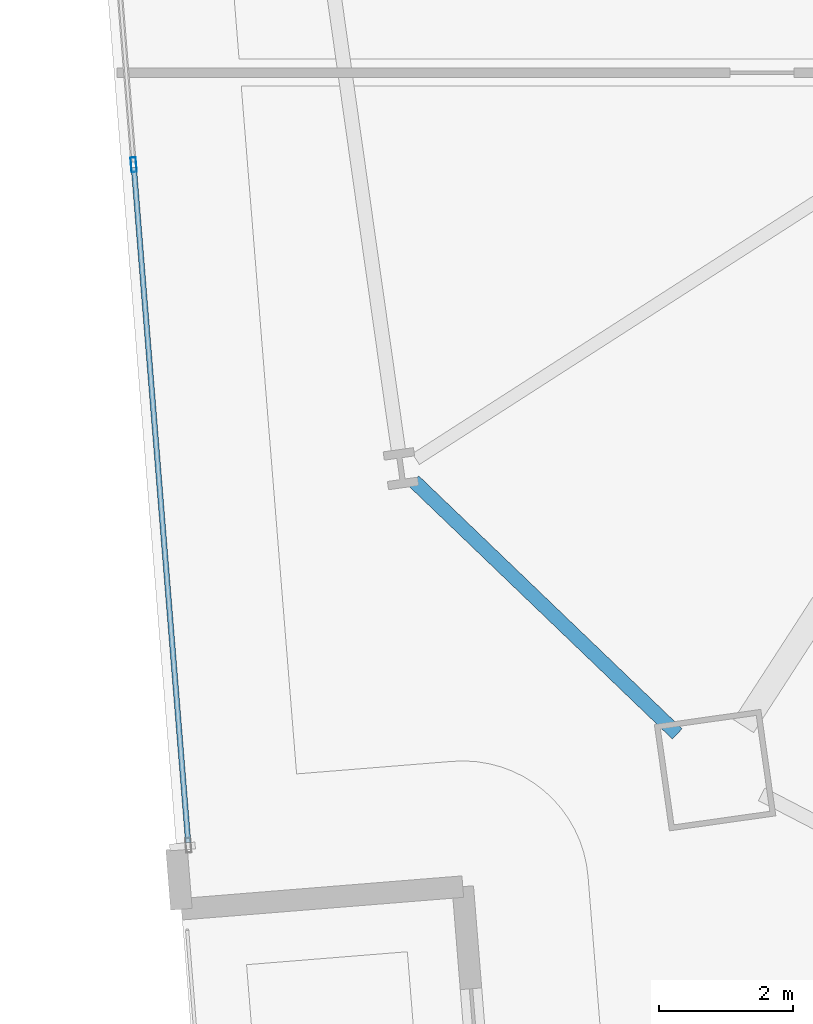
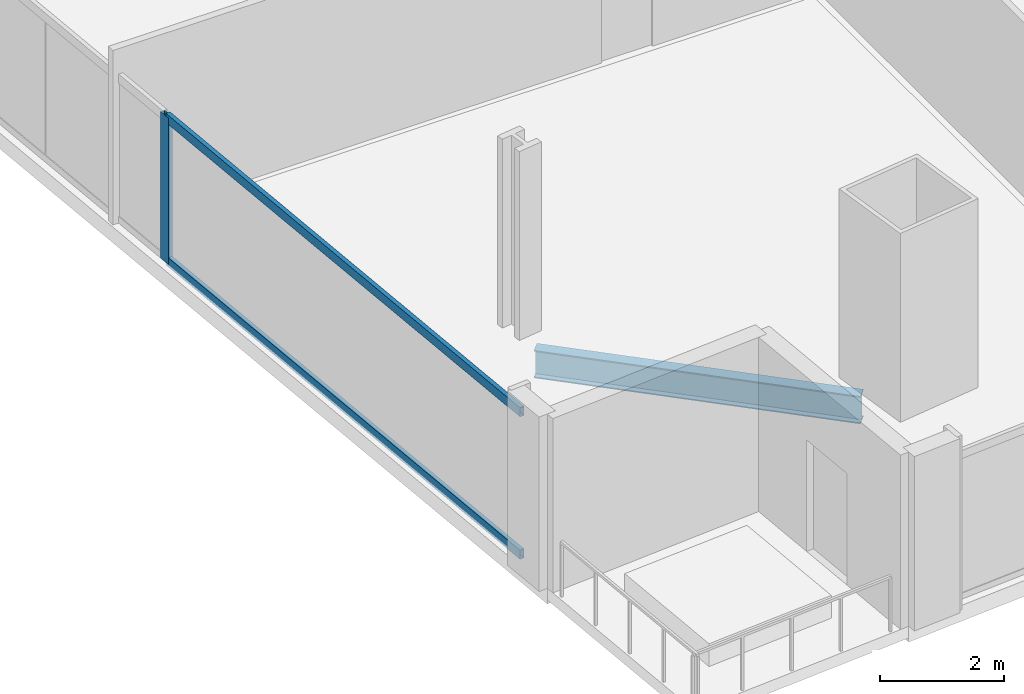
# One storey, part 3 of 33: 3 members, 1 beam, 1 element without a shape of its own.
"""IFC4 building model written with IfcOpenShell, lengths in metres."""

from ifc_helpers import new_model, si_unit, direction, frame, origin, origin_2d, place, context, subcontext, project, spatial, hollow_rectangle, i_section, extrude, material, material_profile, profile_set, type_object, element, aggregate, save


model = new_model("IFC4")

# Units and contexts
model_context = context("Model", 3, precision=1e-05, world=origin(), true_north=direction((0.0, 1.0)))
body_context = subcontext(model_context, "Body", "Model", "MODEL_VIEW")
ifc_project = project(units=[si_unit("LENGTHUNIT", "METRE"), si_unit("AREAUNIT", "SQUARE_METRE"), si_unit("VOLUMEUNIT", "CUBIC_METRE"), si_unit("PLANEANGLEUNIT", "RADIAN"), si_unit("MASSUNIT", "GRAM", prefix="KILO")], contexts=[model_context])

# Site, building, storey
site_placement = place(None, origin())
site = spatial("IfcSite", under=ifc_project, at=site_placement, CompositionType="ELEMENT")
building_placement = place(site_placement, origin())
building = spatial("IfcBuilding", under=site, at=building_placement, Name="Haldenkirk Collegiate Tower", CompositionType="ELEMENT")
storey_placement = place(building_placement, frame((0.0, 0.0, 43.949951171875)))
storey = spatial("IfcBuildingStorey", under=building, at=storey_placement, Name="L09", CompositionType="ELEMENT", Elevation=43.949951171875)

# Beam
ifc_material_1 = material(Name="Steel ASTM A992 Grade 50", Category="steel")
ifc_material_profile_1 = material_profile(ifc_material_1, i_section(OverallWidth=0.2119140625, OverallDepth=0.5439453125, WebThickness=0.01318359375, FlangeThickness=0.021240234375, at=origin_2d()), Name="W21X83")
ifc_profile_set_1 = profile_set([ifc_material_profile_1], Name="Steel ASTM A992 Grade 50")
beam_type = type_object("IfcBeamType", Name="BM-SPANDREL-W21X83", PredefinedType="SPANDREL", material=ifc_profile_set_1)
beam_placement = place(storey_placement, frame((14.212890625, 9.47412109375, -0.58203125), z_axis=(0.721492362326, -0.692422393561, 0.0), x_axis=(0.692422393561, 0.721492362326, 0.0)))
element("IfcBeam", 1, at=beam_placement, inside=storey, type_object=beam_type, Name="L09 perimeter spandrel beam 16", PredefinedType="SPANDREL", context=body_context, shape_type="SweptSolid", body=[
    extrude(i_section(OverallWidth=0.2119140625, OverallDepth=0.5439453125, WebThickness=0.01318359375, FlangeThickness=0.021240234375, at=origin_2d()), origin(), (0.0, 0.0, 1.0), 5.433837890625),
])

# Curtain wall, members
ifc_material_2 = material(Name="Anodised architectural bronze aluminium", Category="aluminium")
curtain_wall_type = type_object("IfcCurtainWallType", Name="CW-SYS1-CONVEX-LOW", PredefinedType="USERDEFINED", material=ifc_material_2)
curtain_wall_placement = place(storey_placement, origin())
curtain_wall = element("IfcCurtainWall", 2, at=curtain_wall_placement, inside=storey, type_object=curtain_wall_type, Name="L09 Lower tower convex bronze-framed unitised curtain wall", ObjectType="UNITISED CURTAIN WALL", PredefinedType="USERDEFINED")
ifc_material_profile_2 = material_profile(ifc_material_2, hollow_rectangle(XDim=0.080078125, YDim=0.219970703125, WallThickness=0.0048828125, at=origin_2d()), Name="CW-MUL-1A")
ifc_profile_set_2 = profile_set([ifc_material_profile_2], Name="Anodised architectural bronze aluminium")
member_type_1 = type_object("IfcMemberType", Name="CW-MUL-1A", PredefinedType="MULLION", material=ifc_profile_set_2)
member_1_placement = place(storey_placement, frame((10.044189453125, 14.18017578125, 0.0), z_axis=(0.0, 0.0, 1.0), x_axis=(-0.996778913457, -0.080198489315, 0.0)))
member_1 = element("IfcMember", 3, at=member_1_placement, type_object=member_type_1, Name="CW-1A mullion 2", PredefinedType="MULLION", context=body_context, shape_type="SweptSolid", body=[
    extrude(hollow_rectangle(XDim=0.080078125, YDim=0.219970703125, WallThickness=0.0048828125, at=origin_2d()), origin(), (0.0, 0.0, 1.0), 2.89111328125),
])
ifc_material_profile_3 = material_profile(ifc_material_2, hollow_rectangle(XDim=0.080078125, YDim=0.179931640625, WallThickness=0.0048828125, at=origin_2d()), Name="CW-TRN-1A")
ifc_profile_set_3 = profile_set([ifc_material_profile_3], Name="Anodised architectural bronze aluminium")
member_type_2 = type_object("IfcMemberType", Name="CW-TRN-1A", PredefinedType="USERDEFINED", material=ifc_profile_set_3)
member_2_placement = place(storey_placement, frame((10.85595703125, 4.0927734375, 0.0400390625), z_axis=(-0.080216908095, 0.996777431354, 0.0), x_axis=(-0.996777431354, -0.080216908095, 0.0)))
member_2 = element("IfcMember", 4, at=member_2_placement, type_object=member_type_2, Name="CW-1A transom 1.1", ObjectType="TRANSOM", PredefinedType="USERDEFINED", context=body_context, shape_type="SweptSolid", body=[
    extrude(hollow_rectangle(XDim=0.080078125, YDim=0.179931640625, WallThickness=0.0048828125, at=origin_2d()), origin(), (0.0, 0.0, 1.0), 10.080078125),
])
member_3_placement = place(storey_placement, frame((10.85595703125, 4.0927734375, 2.85107421875), z_axis=(-0.080216908095, 0.996777431354, 0.0), x_axis=(-0.996777431354, -0.080216908095, 0.0)))
member_3 = element("IfcMember", 5, at=member_3_placement, type_object=member_type_2, Name="CW-1A transom 1.2", ObjectType="TRANSOM", PredefinedType="USERDEFINED", context=body_context, shape_type="SweptSolid", body=[
    extrude(hollow_rectangle(XDim=0.080078125, YDim=0.179931640625, WallThickness=0.0048828125, at=origin_2d()), origin(), (0.0, 0.0, 1.0), 10.080078125),
])
aggregate(curtain_wall, [member_1, member_2, member_3])

save(model, "model.ifc")
